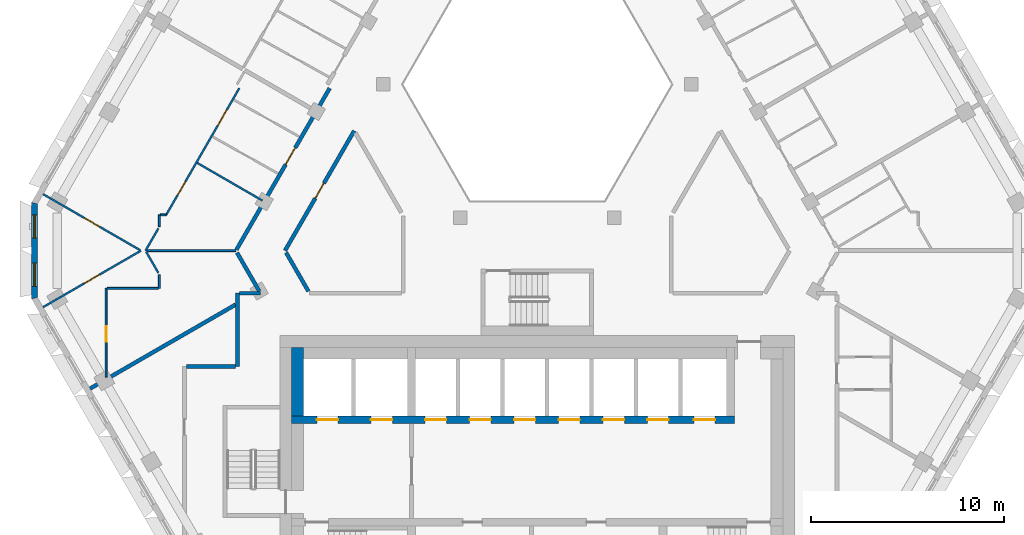
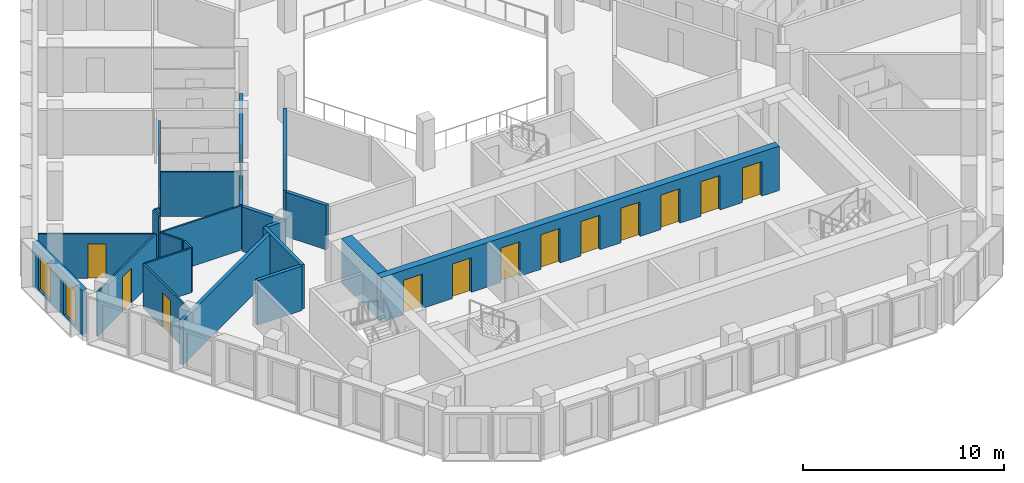
# One storey, part 4 of 18: 23 walls, 16 doors, 2 windows, 18 openings.
"""IFC4 building model written with IfcOpenShell, lengths in metres."""

from ifc_helpers import new_model, si_unit, direction, frame, frame_2d, origin, place, context, subcontext, project, spatial, polyline, rectangle, outline, extrude, material, layer, layer_set, type_object, element, fill, save


model = new_model("IFC4")

# Units and contexts
model_context = context("Model", 3, precision=1e-05, world=origin(), true_north=direction((0.0, 1.0)))
body_context = subcontext(model_context, "Body", "Model", "MODEL_VIEW")
ifc_project = project(units=[si_unit("LENGTHUNIT", "METRE"), si_unit("AREAUNIT", "SQUARE_METRE"), si_unit("VOLUMEUNIT", "CUBIC_METRE"), si_unit("PLANEANGLEUNIT", "RADIAN"), si_unit("MASSUNIT", "GRAM", prefix="KILO")], contexts=[model_context])

# Site, building, storey
site_placement = place(None, origin())
site = spatial("IfcSite", under=ifc_project, at=site_placement, CompositionType="ELEMENT")
building_placement = place(site_placement, origin())
building = spatial("IfcBuilding", under=site, at=building_placement, Name="Beryl Residences", CompositionType="ELEMENT")
storey_placement = place(building_placement, frame((0.0, 0.0, 184.199951171875)))
storey = spatial("IfcBuildingStorey", under=building, at=storey_placement, Name="L56", CompositionType="ELEMENT", Elevation=184.199951171875)

# Wall, openings, windows
ifc_material_1 = material(Name="Composite metal panel with mineral wool insulation")
ifc_layer_1 = layer(ifc_material_1, 0.300048828125)
ifc_layer_set_1 = layer_set([ifc_layer_1], Name="ES1 pale metal composite panel wall 300 mm")
wall_type_1 = type_object("IfcWallType", Name="ES1 pale metal composite panel wall 300 mm", PredefinedType="SOLIDWALL", material=ifc_layer_set_1)
wall_1_placement = place(storey_placement, frame((-26.00390625, 1.89990234375, 0.0), z_axis=(0.0, 0.0, 1.0), x_axis=(0.0, -1.0, 0.0)))
wall_1 = element("IfcWall", 1, at=wall_1_placement, inside=storey, type_object=wall_type_1, Name="ES1 external wall L56 NW-SW", PredefinedType="SOLIDWALL", context=body_context, shape_type="SweptSolid", body=[
    extrude(outline(polyline([(0.0, -0.14990234375), (5.0, -0.14990234375), (4.919677734375, 0.14990234375), (0.080322265625, 0.14990234375), (0.0, -0.14990234375)])), origin(), (0.0, 0.0, 1.0), 2.699951171875),
])
opening_1_placement = place(wall_1_placement, frame((0.64990234375, 0.0, 0.14990234375)))
opening_1 = element("IfcOpeningElement", 2, at=opening_1_placement, cuts=wall_1, Name="Opening W2", PredefinedType="OPENING", context=body_context, shape_type="SweptSolid", body=[
    extrude(rectangle(XDim=1.199951171875, YDim=2.10009765625, at=frame_2d((0.60009765625, 1.050048828125))), frame((0.0, 0.159912109375, 0.0), z_axis=(0.0, -1.0, 0.0), x_axis=(1.0, 0.0, 0.0)), (0.0, 0.0, 1.0), 0.320068359375),
])
opening_2_placement = place(wall_1_placement, frame((3.14990234375, 0.0, 0.14990234375)))
opening_2 = element("IfcOpeningElement", 3, at=opening_2_placement, cuts=wall_1, Name="Opening W2", PredefinedType="OPENING", context=body_context, shape_type="SweptSolid", body=[
    extrude(rectangle(XDim=1.199951171875, YDim=2.10009765625, at=frame_2d((0.60009765625, 1.050048828125))), frame((0.0, 0.159912109375, 0.0), z_axis=(0.0, -1.0, 0.0), x_axis=(1.0, 0.0, 0.0)), (0.0, 0.0, 1.0), 0.320068359375),
])
ifc_material_2 = material(Name="Aluminium and clear glass", Category="aluminium")
window_type = type_object("IfcWindowType", Name="W2 chamfer window 1200 x 2100 mm", PartitioningType="SINGLE_PANEL", PredefinedType="WINDOW", material=ifc_material_2)
window_1_placement = place(opening_1_placement, origin())
window_1 = element("IfcWindow", 4, at=window_1_placement, inside=storey, type_object=window_type, Name="W2 window L56 NW-SW 1", OverallHeight=2.10009765625, OverallWidth=1.199951171875, PartitioningType="SINGLE_PANEL", PredefinedType="WINDOW", context=body_context, shape_type="SweptSolid", body=[
    extrude(rectangle(XDim=1.199951171875, YDim=2.10009765625, at=frame_2d((0.60009765625, 1.050048828125))), frame((0.0, 0.030029296875, 0.0), z_axis=(0.0, -1.0, 0.0), x_axis=(1.0, 0.0, 0.0)), (0.0, 0.0, 1.0), 0.06005859375),
])
fill(opening_1, window_1)
window_2_placement = place(opening_2_placement, origin())
window_2 = element("IfcWindow", 5, at=window_2_placement, inside=storey, type_object=window_type, Name="W2 window L56 NW-SW 2", OverallHeight=2.10009765625, OverallWidth=1.199951171875, PartitioningType="SINGLE_PANEL", PredefinedType="WINDOW", context=body_context, shape_type="SweptSolid", body=[
    extrude(rectangle(XDim=1.199951171875, YDim=2.10009765625, at=frame_2d((0.60009765625, 1.050048828125))), frame((0.0, 0.030029296875, 0.0), z_axis=(0.0, -1.0, 0.0), x_axis=(1.0, 0.0, 0.0)), (0.0, 0.0, 1.0), 0.06005859375),
])
fill(opening_2, window_2)

# Walls
ifc_material_3 = material(Name="Gypsum board partition on steel studs", Category="steel")
ifc_layer_2 = layer(ifc_material_3, 0.10009765625)
ifc_layer_set_2 = layer_set([ifc_layer_2], Name="PT1 partition 100 mm gypsum board on steel studs")
wall_type_2 = type_object("IfcWallType", Name="PT1 partition 100 mm gypsum board on steel studs", PredefinedType="PARTITIONING", material=ifc_layer_set_2)
wall_2_placement = place(storey_placement, frame((-20.23291015625, -0.65087890625, 0.0), z_axis=(0.0, 0.0, 1.0), x_axis=(0.500498449207, -0.865737432679, 0.0)))
element("IfcWall", 6, at=wall_2_placement, inside=storey, type_object=wall_type_2, Name="Wall PT1 L56 001", PredefinedType="PARTITIONING", context=body_context, shape_type="SweptSolid", body=[
    extrude(rectangle(XDim=1.270751953125, YDim=0.10009765625, at=frame_2d((0.63525390625, 0.0))), origin(), (0.0, 0.0, 1.0), 2.699951171875),
])
wall_3_placement = place(storey_placement, frame((-17.5849609375, 3.93603515625, 0.0), z_axis=(0.0, 0.0, 1.0), x_axis=(0.865979019114, -0.500080332001, 0.0)))
element("IfcWall", 7, at=wall_3_placement, inside=storey, type_object=wall_type_2, Name="Wall PT1 L56 013", PredefinedType="PARTITIONING", context=body_context, shape_type="SweptSolid", body=[
    extrude(rectangle(XDim=3.897216796875, YDim=0.10009765625, at=frame_2d((1.94873046875, 0.0))), origin(), (0.0, 0.0, 1.0), 2.699951171875),
])

# Wall, opening, door
wall_4_placement = place(storey_placement, frame((-25.56201171875, 2.324951171875, 0.0), z_axis=(0.0, 0.0, 1.0), x_axis=(0.86599890761, -0.500045889912, 0.0)))
wall_4 = element("IfcWall", 8, at=wall_4_placement, inside=storey, type_object=wall_type_2, Name="Wall PT1 L56 014", PredefinedType="PARTITIONING", context=body_context, shape_type="SweptSolid", body=[
    extrude(rectangle(XDim=5.79345703125, YDim=0.10009765625, at=frame_2d((2.896728515625, 0.0))), origin(), (0.0, 0.0, 1.0), 2.699951171875),
])
opening_3_placement = place(wall_4_placement, frame((2.47607421875, 0.0, 0.0)))
opening_3 = element("IfcOpeningElement", 9, at=opening_3_placement, cuts=wall_4, Name="Opening D1528", PredefinedType="OPENING", context=body_context, shape_type="SweptSolid", body=[
    extrude(rectangle(XDim=0.89990234375, YDim=2.10009765625, at=frame_2d((0.449951171875, 1.050048828125))), frame((0.0, 0.06005859375, 0.0), z_axis=(0.0, -1.0, 0.0), x_axis=(1.0, 0.0, 0.0)), (0.0, 0.0, 1.0), 0.1201171875),
])
ifc_material_4 = material(Name="Timber door leaf", Category="wood")
door_type_1 = type_object("IfcDoorType", Name="D2 room door 900 x 2100 mm", OperationType="SINGLE_SWING_LEFT", PredefinedType="DOOR", material=ifc_material_4)
door_1_placement = place(opening_3_placement, origin())
door_1 = element("IfcDoor", 10, at=door_1_placement, inside=storey, type_object=door_type_1, Name="Door D1528 L56 001", OperationType="SINGLE_SWING_RIGHT", OverallHeight=2.10009765625, OverallWidth=0.89990234375, PredefinedType="DOOR", context=body_context, shape_type="SweptSolid", body=[
    extrude(rectangle(XDim=0.89990234375, YDim=2.10009765625, at=frame_2d((0.449951171875, 1.050048828125))), frame((0.0, 0.02490234375, 0.0), z_axis=(0.0, -1.0, 0.0), x_axis=(1.0, 0.0, 0.0)), (0.0, 0.0, 1.0), 0.050048828125),
])
fill(opening_3, door_1)

# Walls
wall_5_placement = place(storey_placement, frame((-20.2041015625, -0.60107421875, 0.0), z_axis=(0.0, 0.0, 1.0), x_axis=(1.0, 0.0, 0.0)))
element("IfcWall", 11, at=wall_5_placement, inside=storey, type_object=wall_type_2, Name="Wall PT1 L56 017", PredefinedType="PARTITIONING", context=body_context, shape_type="SweptSolid", body=[
    extrude(rectangle(XDim=4.6162109375, YDim=0.10009765625, at=frame_2d((2.30810546875, 0.0))), origin(), (0.0, 0.0, 1.0), 2.699951171875),
])
wall_6_placement = place(storey_placement, frame((-22.2470703125, -2.552978515625, 0.0), z_axis=(0.0, 0.0, 1.0), x_axis=(1.0, 0.0, 0.0)))
element("IfcWall", 12, at=wall_6_placement, inside=storey, type_object=wall_type_2, Name="Wall PT1 L56 020", PredefinedType="PARTITIONING", context=body_context, shape_type="SweptSolid", body=[
    extrude(rectangle(XDim=2.650146484375, YDim=0.10009765625, at=frame_2d((1.3251953125, 0.0))), origin(), (0.0, 0.0, 1.0), 2.699951171875),
])
wall_7_placement = place(storey_placement, frame((-19.4970703125, 1.2470703125, 0.0), z_axis=(0.0, 0.0, 1.0), x_axis=(1.0, 0.0, 0.0)))
element("IfcWall", 13, at=wall_7_placement, inside=storey, type_object=wall_type_2, Name="Wall PT1 L56 021", PredefinedType="PARTITIONING", context=body_context, shape_type="SweptSolid", body=[
    extrude(rectangle(XDim=0.302001953125, YDim=0.10009765625, at=frame_2d((0.15087890625, 0.0))), origin(), (0.0, 0.0, 1.0), 2.699951171875),
])
wall_8_placement = place(storey_placement, frame((-20.261962890625, -0.60107421875, 0.0), z_axis=(0.0, 0.0, 1.0), x_axis=(0.500247001515, 0.86588275042, 0.0)))
element("IfcWall", 14, at=wall_8_placement, inside=storey, type_object=wall_type_2, Name="Wall PT1 L56 027", PredefinedType="PARTITIONING", context=body_context, shape_type="SweptSolid", body=[
    extrude(rectangle(XDim=1.329345703125, YDim=0.10009765625, at=frame_2d((0.66455078125, 0.0))), origin(), (0.0, 0.0, 1.0), 2.699951171875),
])

# Wall, openings, doors
wall_9_placement = place(storey_placement, frame((-19.195068359375, 1.2470703125, 0.0), z_axis=(0.0, 0.0, 1.0), x_axis=(0.499959862915, 0.866048575701, 0.0)))
wall_9 = element("IfcWall", 15, at=wall_9_placement, inside=storey, type_object=wall_type_2, Name="Wall PT1 L56 028", PredefinedType="PARTITIONING", context=body_context, shape_type="SweptSolid", body=[
    extrude(rectangle(XDim=7.56640625, YDim=0.10009765625, at=frame_2d((3.783203125, 0.0))), origin(), (0.0, 0.0, 1.0), 2.699951171875),
])
opening_4_placement = place(wall_9_placement, frame((5.35400390625, 0.0, 0.0)))
opening_4 = element("IfcOpeningElement", 16, at=opening_4_placement, cuts=wall_9, Name="Opening D1527", PredefinedType="OPENING", context=body_context, shape_type="SweptSolid", body=[
    extrude(rectangle(XDim=0.89990234375, YDim=2.10009765625, at=frame_2d((0.449951171875, 1.050048828125))), frame((0.0, 0.06005859375, 0.0), z_axis=(0.0, -1.0, 0.0), x_axis=(1.0, 0.0, 0.0)), (0.0, 0.0, 1.0), 0.1201171875),
])
opening_5_placement = place(wall_9_placement, frame((1.177001953125, 0.0, 0.0)))
opening_5 = element("IfcOpeningElement", 17, at=opening_5_placement, cuts=wall_9, Name="Opening D1529", PredefinedType="OPENING", context=body_context, shape_type="SweptSolid", body=[
    extrude(rectangle(XDim=0.800048828125, YDim=2.10009765625, at=frame_2d((0.39990234375, 1.050048828125))), frame((0.0, 0.06005859375, 0.0), z_axis=(0.0, -1.0, 0.0), x_axis=(1.0, 0.0, 0.0)), (0.0, 0.0, 1.0), 0.1201171875),
])
door_2_placement = place(opening_4_placement, origin())
door_2 = element("IfcDoor", 18, at=door_2_placement, inside=storey, type_object=door_type_1, Name="Door D1527 L56 001", OperationType="SINGLE_SWING_LEFT", OverallHeight=2.10009765625, OverallWidth=0.89990234375, PredefinedType="DOOR", context=body_context, shape_type="SweptSolid", body=[
    extrude(rectangle(XDim=0.89990234375, YDim=2.10009765625, at=frame_2d((0.449951171875, 1.050048828125))), frame((0.0, 0.02490234375, 0.0), z_axis=(0.0, -1.0, 0.0), x_axis=(1.0, 0.0, 0.0)), (0.0, 0.0, 1.0), 0.050048828125),
])
fill(opening_4, door_2)
ifc_material_5 = material(Name="Timber door leaf", Category="wood")
door_type_2 = type_object("IfcDoorType", Name="D3 bathroom door 800 x 2100 mm", OperationType="SINGLE_SWING_LEFT", PredefinedType="DOOR", material=ifc_material_5)
door_3_placement = place(opening_5_placement, origin())
door_3 = element("IfcDoor", 19, at=door_3_placement, inside=storey, type_object=door_type_2, Name="Door D1529 L56 001", OperationType="SINGLE_SWING_LEFT", OverallHeight=2.10009765625, OverallWidth=0.800048828125, PredefinedType="DOOR", context=body_context, shape_type="SweptSolid", body=[
    extrude(rectangle(XDim=0.800048828125, YDim=2.10009765625, at=frame_2d((0.39990234375, 1.050048828125))), frame((0.0, 0.02490234375, 0.0), z_axis=(0.0, -1.0, 0.0), x_axis=(1.0, 0.0, 0.0)), (0.0, 0.0, 1.0), 0.050048828125),
])
fill(opening_5, door_3)

# Walls
wall_10_placement = place(storey_placement, frame((-19.547119140625, -2.552978515625, 0.0), z_axis=(0.0, 0.0, 1.0), x_axis=(0.0, 1.0, 0.0)))
element("IfcWall", 20, at=wall_10_placement, inside=storey, type_object=wall_type_2, Name="Wall PT1 L56 037", PredefinedType="PARTITIONING", context=body_context, shape_type="SweptSolid", body=[
    extrude(rectangle(XDim=0.715087890625, YDim=0.10009765625, at=frame_2d((0.357421875, 0.0))), origin(), (0.0, 0.0, 1.0), 2.699951171875),
])
wall_11_placement = place(storey_placement, frame((-19.547119140625, 0.636962890625, 0.0), z_axis=(0.0, 0.0, 1.0), x_axis=(0.0, 1.0, 0.0)))
element("IfcWall", 21, at=wall_11_placement, inside=storey, type_object=wall_type_2, Name="Wall PT1 L56 038", PredefinedType="PARTITIONING", context=body_context, shape_type="SweptSolid", body=[
    extrude(rectangle(XDim=0.610107421875, YDim=0.10009765625, at=frame_2d((0.30517578125, 0.0))), origin(), (0.0, 0.0, 1.0), 2.699951171875),
])

# Wall, opening, door
wall_12_placement = place(storey_placement, frame((-22.297119140625, -7.14111328125, 0.0), z_axis=(0.0, 0.0, 1.0), x_axis=(0.0, 1.0, 0.0)))
wall_12 = element("IfcWall", 22, at=wall_12_placement, inside=storey, type_object=wall_type_2, Name="Wall PT1 L56 039", PredefinedType="PARTITIONING", context=body_context, shape_type="SweptSolid", body=[
    extrude(rectangle(XDim=4.588134765625, YDim=0.10009765625, at=frame_2d((2.2939453125, 0.0))), origin(), (0.0, 0.0, 1.0), 2.699951171875),
])
opening_6_placement = place(wall_12_placement, frame((1.8359375, 0.0, 0.0)))
opening_6 = element("IfcOpeningElement", 23, at=opening_6_placement, cuts=wall_12, Name="Opening D1531", PredefinedType="OPENING", context=body_context, shape_type="SweptSolid", body=[
    extrude(rectangle(XDim=0.800048828125, YDim=2.10009765625, at=frame_2d((0.39990234375, 1.050048828125))), frame((0.0, 0.06005859375, 0.0), z_axis=(0.0, -1.0, 0.0), x_axis=(1.0, 0.0, 0.0)), (0.0, 0.0, 1.0), 0.1201171875),
])
door_4_placement = place(opening_6_placement, origin())
door_4 = element("IfcDoor", 24, at=door_4_placement, inside=storey, type_object=door_type_2, Name="Door D1531 L56 001", OperationType="SINGLE_SWING_LEFT", OverallHeight=2.10009765625, OverallWidth=0.800048828125, PredefinedType="DOOR", context=body_context, shape_type="SweptSolid", body=[
    extrude(rectangle(XDim=0.800048828125, YDim=2.10009765625, at=frame_2d((0.39990234375, 1.050048828125))), frame((0.0, 0.02490234375, 0.0), z_axis=(0.0, -1.0, 0.0), x_axis=(1.0, 0.0, 0.0)), (0.0, 0.0, 1.0), 0.050048828125),
])
fill(opening_6, door_4)

wall_13_placement = place(storey_placement, frame((-25.56298828125, -3.52392578125, 0.0), z_axis=(0.0, 0.0, 1.0), x_axis=(0.866128586522, 0.499821239653, 0.0)))
wall_13 = element("IfcWall", 25, at=wall_13_placement, inside=storey, type_object=wall_type_2, Name="Wall PT1 L56 045", PredefinedType="PARTITIONING", context=body_context, shape_type="SweptSolid", body=[
    extrude(rectangle(XDim=5.847900390625, YDim=0.10009765625, at=frame_2d((2.923828125, 0.0))), origin(), (0.0, 0.0, 1.0), 2.699951171875),
])
opening_7_placement = place(wall_13_placement, frame((2.47412109375, 0.0, 0.0)))
opening_7 = element("IfcOpeningElement", 26, at=opening_7_placement, cuts=wall_13, Name="Opening D1530", PredefinedType="OPENING", context=body_context, shape_type="SweptSolid", body=[
    extrude(rectangle(XDim=0.89990234375, YDim=2.10009765625, at=frame_2d((0.449951171875, 1.050048828125))), frame((0.0, 0.06005859375, 0.0), z_axis=(0.0, -1.0, 0.0), x_axis=(1.0, 0.0, 0.0)), (0.0, 0.0, 1.0), 0.1201171875),
])
door_5_placement = place(opening_7_placement, origin())
door_5 = element("IfcDoor", 27, at=door_5_placement, inside=storey, type_object=door_type_1, Name="Door D1530 L56 001", OperationType="SINGLE_SWING_RIGHT", OverallHeight=2.10009765625, OverallWidth=0.89990234375, PredefinedType="DOOR", context=body_context, shape_type="SweptSolid", body=[
    extrude(rectangle(XDim=0.89990234375, YDim=2.10009765625, at=frame_2d((0.449951171875, 1.050048828125))), frame((0.0, 0.02490234375, 0.0), z_axis=(0.0, -1.0, 0.0), x_axis=(1.0, 0.0, 0.0)), (0.0, 0.0, 1.0), 0.050048828125),
])
fill(opening_7, door_5)

# Walls
ifc_material_6 = material(Name="Acoustic double stud gypsum board wall")
ifc_layer_3 = layer(ifc_material_6, 0.199951171875)
ifc_layer_set_3 = layer_set([ifc_layer_3], Name="PT3 party wall 200 mm acoustic double stud")
wall_type_3 = type_object("IfcWallType", Name="PT3 party wall 200 mm acoustic double stud", PredefinedType="PARTITIONING", material=ifc_layer_set_3)
wall_14_placement = place(storey_placement, frame((-23.1298828125, -7.737060546875, 0.0), z_axis=(0.0, 0.0, 1.0), x_axis=(0.866033148899, 0.499986584829, 0.0)))
element("IfcWall", 28, at=wall_14_placement, inside=storey, type_object=wall_type_3, Name="Wall PT3 L56 013", PredefinedType="PARTITIONING", context=body_context, shape_type="SweptSolid", body=[
    extrude(rectangle(XDim=8.694580078125, YDim=0.199951171875, at=frame_2d((4.34716796875, 0.0))), origin(), (0.0, 0.0, 1.0), 2.699951171875),
])
ifc_material_7 = material(Name="Double stud gypsum board wall")
ifc_layer_4 = layer(ifc_material_7, 0.199951171875)
ifc_layer_set_4 = layer_set([ifc_layer_4], Name="PT4 corridor wall 200 mm double stud")
wall_type_4 = type_object("IfcWallType", Name="PT4 corridor wall 200 mm double stud", PredefinedType="PARTITIONING", material=ifc_layer_set_4)
for number, where, z_axis, x_axis, name in (
    (29, (-12.989990234375, -0.700927734375, 0.0), (0.0, 0.0, 1.0), (0.499972710878, -0.866041158593, 0.0), "Wall PT4 L56 002"),
    (30, (-15.530029296875, -0.700927734375, 0.0), (0.0, 0.0, 1.0), (0.499972710878, -0.866041158593, 0.0), "Wall PT4 L56 003"),
):
    element("IfcWall", number, at=place(storey_placement, frame(where, z_axis=z_axis, x_axis=x_axis)), inside=storey, type_object=wall_type_4, Name=name, PredefinedType="PARTITIONING", context=body_context, shape_type="SweptSolid", body=[
        extrude(rectangle(XDim=2.308349609375, YDim=0.199951171875, at=frame_2d((1.154296875, 0.0))), origin(), (0.0, 0.0, 1.0), 2.699951171875),
    ])
wall_15_placement = place(storey_placement, frame((-18.14892578125, -6.60009765625, 0.0), z_axis=(0.0, 0.0, 1.0), x_axis=(1.0, 0.0, 0.0)))
element("IfcWall", 31, at=wall_15_placement, inside=storey, type_object=wall_type_4, Name="Wall PT4 L56 008", PredefinedType="PARTITIONING", context=body_context, shape_type="SweptSolid", body=[
    extrude(rectangle(XDim=2.548828125, YDim=0.199951171875, at=frame_2d((1.2744140625, 0.0))), origin(), (0.0, 0.0, 1.0), 2.699951171875),
])
wall_16_placement = place(storey_placement, frame((-15.39892578125, -2.800048828125, 0.0), z_axis=(0.0, 0.0, 1.0), x_axis=(1.0, 0.0, 0.0)))
element("IfcWall", 32, at=wall_16_placement, inside=storey, type_object=wall_type_4, Name="Wall PT4 L56 010", PredefinedType="PARTITIONING", context=body_context, shape_type="SweptSolid", body=[
    extrude(rectangle(XDim=1.080810546875, YDim=0.199951171875, at=frame_2d((0.54052734375, 0.0))), origin(), (0.0, 0.0, 1.0), 2.699951171875),
])

# Wall, opening, door
wall_17_placement = place(storey_placement, frame((-13.048095703125, -0.60107421875, 0.0), z_axis=(0.0, 0.0, 1.0), x_axis=(0.499982180423, 0.866035691677, 0.0)))
wall_17 = element("IfcWall", 33, at=wall_17_placement, inside=storey, type_object=wall_type_4, Name="Wall PT4 L56 018", PredefinedType="PARTITIONING", context=body_context, shape_type="SweptSolid", body=[
    extrude(rectangle(XDim=7.160400390625, YDim=0.199951171875, at=frame_2d((3.580078125, 0.0))), origin(), (0.0, 0.0, 1.0), 2.699951171875),
])
opening_8_placement = place(wall_17_placement, frame((3.1298828125, 0.0, 0.0)))
opening_8 = element("IfcOpeningElement", 34, at=opening_8_placement, cuts=wall_17, Name="Opening D1546", PredefinedType="OPENING", context=body_context, shape_type="SweptSolid", body=[
    extrude(rectangle(XDim=0.89990234375, YDim=2.10009765625, at=frame_2d((0.449951171875, 1.050048828125))), frame((0.0, 0.10986328125, 0.0), z_axis=(0.0, -1.0, 0.0), x_axis=(1.0, 0.0, 0.0)), (0.0, 0.0, 1.0), 0.219970703125),
])
door_6_placement = place(opening_8_placement, origin())
door_6 = element("IfcDoor", 35, at=door_6_placement, inside=storey, type_object=door_type_1, Name="Door D1546 L56 001", OperationType="SINGLE_SWING_RIGHT", OverallHeight=2.10009765625, OverallWidth=0.89990234375, PredefinedType="DOOR", context=body_context, shape_type="SweptSolid", body=[
    extrude(rectangle(XDim=0.89990234375, YDim=2.10009765625, at=frame_2d((0.449951171875, 1.050048828125))), frame((0.0, 0.02490234375, 0.0), z_axis=(0.0, -1.0, 0.0), x_axis=(1.0, 0.0, 0.0)), (0.0, 0.0, 1.0), 0.050048828125),
])
fill(opening_8, door_6)

wall_18_placement = place(storey_placement, frame((-15.55908203125, -0.551025390625, 0.0), z_axis=(0.0, 0.0, 1.0), x_axis=(0.499964997208, 0.866045611713, 0.0)))
wall_18 = element("IfcWall", 36, at=wall_18_placement, inside=storey, type_object=wall_type_4, Name="Wall PT4 L56 019", PredefinedType="PARTITIONING", context=body_context, shape_type="SweptSolid", body=[
    extrude(rectangle(XDim=9.642822265625, YDim=0.199951171875, at=frame_2d((4.8212890625, 0.0))), origin(), (0.0, 0.0, 1.0), 2.699951171875),
])
opening_9_placement = place(wall_18_placement, frame((5.087890625, 0.0, 0.0)))
opening_9 = element("IfcOpeningElement", 37, at=opening_9_placement, cuts=wall_18, Name="Opening D1524", PredefinedType="OPENING", context=body_context, shape_type="SweptSolid", body=[
    extrude(rectangle(XDim=1.0, YDim=2.10009765625, at=frame_2d((0.5, 1.050048828125))), frame((0.0, 0.10986328125, 0.0), z_axis=(0.0, -1.0, 0.0), x_axis=(1.0, 0.0, 0.0)), (0.0, 0.0, 1.0), 0.219970703125),
])
ifc_material_8 = material(Name="Timber door leaf", Category="wood")
door_type_3 = type_object("IfcDoorType", Name="D1 flat entrance door 1000 x 2100 mm", OperationType="SINGLE_SWING_LEFT", PredefinedType="DOOR", material=ifc_material_8)
door_7_placement = place(opening_9_placement, origin())
door_7 = element("IfcDoor", 38, at=door_7_placement, inside=storey, type_object=door_type_3, Name="Door D1524 L56 001", OperationType="SINGLE_SWING_RIGHT", OverallHeight=2.10009765625, OverallWidth=1.0, PredefinedType="DOOR", context=body_context, shape_type="SweptSolid", body=[
    extrude(rectangle(XDim=1.0, YDim=2.10009765625, at=frame_2d((0.5, 1.050048828125))), frame((0.0, 0.02490234375, 0.0), z_axis=(0.0, -1.0, 0.0), x_axis=(1.0, 0.0, 0.0)), (0.0, 0.0, 1.0), 0.050048828125),
])
fill(opening_9, door_7)

# Walls
wall_19_placement = place(storey_placement, frame((-15.5, -6.60009765625, 0.0), z_axis=(0.0, 0.0, 1.0), x_axis=(0.0, 1.0, 0.0)))
element("IfcWall", 39, at=wall_19_placement, inside=storey, type_object=wall_type_4, Name="Wall PT4 L56 024", PredefinedType="PARTITIONING", context=body_context, shape_type="SweptSolid", body=[
    extrude(rectangle(XDim=3.799072265625, YDim=0.199951171875, at=frame_2d((1.8994140625, 0.0))), origin(), (0.0, 0.0, 1.0), 2.699951171875),
])
ifc_material_9 = material(Name="Concrete C40/50", Category="concrete")
ifc_layer_5 = layer(ifc_material_9, 0.60009765625)
ifc_layer_set_5 = layer_set([ifc_layer_5], Name="PT6-600 lift shaft wall 600 mm")
wall_type_5 = type_object("IfcWallType", Name="PT6-600 lift shaft wall 600 mm", PredefinedType="SOLIDWALL", material=ifc_layer_set_5)
wall_20_placement = place(storey_placement, frame((-12.39990234375, -9.14990234375, 0.0), z_axis=(0.0, 0.0, 1.0), x_axis=(0.0, 1.0, 0.0)))
element("IfcWall", 40, at=wall_20_placement, inside=storey, type_object=wall_type_5, Name="Lift shaft wall 07", PredefinedType="SOLIDWALL", context=body_context, shape_type="SweptSolid", body=[
    extrude(rectangle(XDim=3.5498046875, YDim=0.60009765625, at=frame_2d((1.77490234375, 0.0))), origin(), (0.0, 0.0, 1.0), 2.699951171875),
])

# Wall, openings, doors
ifc_material_10 = material(Name="Concrete C50/60", Category="concrete")
ifc_layer_6 = layer(ifc_material_10, 0.39990234375)
ifc_layer_set_6 = layer_set([ifc_layer_6], Name="SW9 core internal wall 400 mm C50/60")
wall_type_6 = type_object("IfcWallType", Name="SW9 core internal wall 400 mm C50/60", PredefinedType="SHEAR", material=ifc_layer_set_6)
wall_21_placement = place(storey_placement, frame((-12.699951171875, -9.35009765625, 0.0), z_axis=(0.0, 0.0, 1.0), x_axis=(1.0, 0.0, 0.0)))
wall_21 = element("IfcWall", 41, at=wall_21_placement, inside=storey, type_object=wall_type_6, Name="Core wall SP2 L56", PredefinedType="SHEAR", context=body_context, shape_type="SweptSolid", body=[
    extrude(rectangle(XDim=22.89990234375, YDim=0.39990234375, at=frame_2d((11.449951171875, 0.0))), origin(), (0.0, 0.0, 1.0), 2.699951171875),
])
opening_10_placement = place(wall_21_placement, frame((1.300048828125, 0.0, 0.0)))
opening_10 = element("IfcOpeningElement", 42, at=opening_10_placement, cuts=wall_21, Name="Opening LD-FF1", PredefinedType="OPENING", context=body_context, shape_type="SweptSolid", body=[
    extrude(rectangle(XDim=1.10009765625, YDim=2.10009765625, at=frame_2d((0.550048828125, 1.050048828125))), frame((0.0, 0.2099609375, 0.0), z_axis=(0.0, -1.0, 0.0), x_axis=(1.0, 0.0, 0.0)), (0.0, 0.0, 1.0), 0.419921875),
])
opening_11_placement = place(wall_21_placement, frame((4.10009765625, 0.0, 0.0)))
opening_11 = element("IfcOpeningElement", 43, at=opening_11_placement, cuts=wall_21, Name="Opening LD-FF2", PredefinedType="OPENING", context=body_context, shape_type="SweptSolid", body=[
    extrude(rectangle(XDim=1.10009765625, YDim=2.10009765625, at=frame_2d((0.550048828125, 1.050048828125))), frame((0.0, 0.2099609375, 0.0), z_axis=(0.0, -1.0, 0.0), x_axis=(1.0, 0.0, 0.0)), (0.0, 0.0, 1.0), 0.419921875),
])
opening_12_placement = place(wall_21_placement, frame((6.89990234375, 0.0, 0.0)))
opening_12 = element("IfcOpeningElement", 44, at=opening_12_placement, cuts=wall_21, Name="Opening LD-HR1", PredefinedType="OPENING", context=body_context, shape_type="SweptSolid", body=[
    extrude(rectangle(XDim=1.10009765625, YDim=2.10009765625, at=frame_2d((0.550048828125, 1.050048828125))), frame((0.0, 0.2099609375, 0.0), z_axis=(0.0, -1.0, 0.0), x_axis=(1.0, 0.0, 0.0)), (0.0, 0.0, 1.0), 0.419921875),
])
opening_13_placement = place(wall_21_placement, frame((9.199951171875, 0.0, 0.0)))
opening_13 = element("IfcOpeningElement", 45, at=opening_13_placement, cuts=wall_21, Name="Opening LD-HR2", PredefinedType="OPENING", context=body_context, shape_type="SweptSolid", body=[
    extrude(rectangle(XDim=1.10009765625, YDim=2.10009765625, at=frame_2d((0.550048828125, 1.050048828125))), frame((0.0, 0.2099609375, 0.0), z_axis=(0.0, -1.0, 0.0), x_axis=(1.0, 0.0, 0.0)), (0.0, 0.0, 1.0), 0.419921875),
])
opening_14_placement = place(wall_21_placement, frame((11.5, 0.0, 0.0)))
opening_14 = element("IfcOpeningElement", 46, at=opening_14_placement, cuts=wall_21, Name="Opening LD-HR3", PredefinedType="OPENING", context=body_context, shape_type="SweptSolid", body=[
    extrude(rectangle(XDim=1.10009765625, YDim=2.10009765625, at=frame_2d((0.550048828125, 1.050048828125))), frame((0.0, 0.2099609375, 0.0), z_axis=(0.0, -1.0, 0.0), x_axis=(1.0, 0.0, 0.0)), (0.0, 0.0, 1.0), 0.419921875),
])
opening_15_placement = place(wall_21_placement, frame((13.800048828125, 0.0, 0.0)))
opening_15 = element("IfcOpeningElement", 47, at=opening_15_placement, cuts=wall_21, Name="Opening LD-HR4", PredefinedType="OPENING", context=body_context, shape_type="SweptSolid", body=[
    extrude(rectangle(XDim=1.10009765625, YDim=2.10009765625, at=frame_2d((0.550048828125, 1.050048828125))), frame((0.0, 0.2099609375, 0.0), z_axis=(0.0, -1.0, 0.0), x_axis=(1.0, 0.0, 0.0)), (0.0, 0.0, 1.0), 0.419921875),
])
opening_16_placement = place(wall_21_placement, frame((16.10009765625, 0.0, 0.0)))
opening_16 = element("IfcOpeningElement", 48, at=opening_16_placement, cuts=wall_21, Name="Opening LD-HR5", PredefinedType="OPENING", context=body_context, shape_type="SweptSolid", body=[
    extrude(rectangle(XDim=1.10009765625, YDim=2.10009765625, at=frame_2d((0.550048828125, 1.050048828125))), frame((0.0, 0.2099609375, 0.0), z_axis=(0.0, -1.0, 0.0), x_axis=(1.0, 0.0, 0.0)), (0.0, 0.0, 1.0), 0.419921875),
])
opening_17_placement = place(wall_21_placement, frame((18.39990234375, 0.0, 0.0)))
opening_17 = element("IfcOpeningElement", 49, at=opening_17_placement, cuts=wall_21, Name="Opening LD-HR6", PredefinedType="OPENING", context=body_context, shape_type="SweptSolid", body=[
    extrude(rectangle(XDim=1.10009765625, YDim=2.10009765625, at=frame_2d((0.550048828125, 1.050048828125))), frame((0.0, 0.2099609375, 0.0), z_axis=(0.0, -1.0, 0.0), x_axis=(1.0, 0.0, 0.0)), (0.0, 0.0, 1.0), 0.419921875),
])
opening_18_placement = place(wall_21_placement, frame((20.800048828125, 0.0, 0.0)))
opening_18 = element("IfcOpeningElement", 50, at=opening_18_placement, cuts=wall_21, Name="Opening LD-SL1", PredefinedType="OPENING", context=body_context, shape_type="SweptSolid", body=[
    extrude(rectangle(XDim=1.10009765625, YDim=2.10009765625, at=frame_2d((0.550048828125, 1.050048828125))), frame((0.0, 0.2099609375, 0.0), z_axis=(0.0, -1.0, 0.0), x_axis=(1.0, 0.0, 0.0)), (0.0, 0.0, 1.0), 0.419921875),
])
ifc_material_11 = material(Name="Stainless steel sliding door", Category="steel")
door_type_4 = type_object("IfcDoorType", Name="LD1 lift landing door 1100 x 2100 mm", OperationType="DOUBLE_DOOR_SLIDING", PredefinedType="DOOR", material=ifc_material_11)
door_8_placement = place(opening_10_placement, origin())
door_8 = element("IfcDoor", 51, at=door_8_placement, inside=storey, type_object=door_type_4, Name="Lift landing door FF1", OperationType="DOUBLE_DOOR_SLIDING", OverallHeight=2.10009765625, OverallWidth=1.10009765625, PredefinedType="DOOR", context=body_context, shape_type="SweptSolid", body=[
    extrude(rectangle(XDim=1.10009765625, YDim=2.10009765625, at=frame_2d((0.550048828125, 1.050048828125))), frame((0.0, 0.02490234375, 0.0), z_axis=(0.0, -1.0, 0.0), x_axis=(1.0, 0.0, 0.0)), (0.0, 0.0, 1.0), 0.050048828125),
])
fill(opening_10, door_8)
door_9_placement = place(opening_11_placement, origin())
door_9 = element("IfcDoor", 52, at=door_9_placement, inside=storey, type_object=door_type_4, Name="Lift landing door FF2", OperationType="DOUBLE_DOOR_SLIDING", OverallHeight=2.10009765625, OverallWidth=1.10009765625, PredefinedType="DOOR", context=body_context, shape_type="SweptSolid", body=[
    extrude(rectangle(XDim=1.10009765625, YDim=2.10009765625, at=frame_2d((0.550048828125, 1.050048828125))), frame((0.0, 0.02490234375, 0.0), z_axis=(0.0, -1.0, 0.0), x_axis=(1.0, 0.0, 0.0)), (0.0, 0.0, 1.0), 0.050048828125),
])
fill(opening_11, door_9)
door_10_placement = place(opening_12_placement, origin())
door_10 = element("IfcDoor", 53, at=door_10_placement, inside=storey, type_object=door_type_4, Name="Lift landing door HR1", OperationType="DOUBLE_DOOR_SLIDING", OverallHeight=2.10009765625, OverallWidth=1.10009765625, PredefinedType="DOOR", context=body_context, shape_type="SweptSolid", body=[
    extrude(rectangle(XDim=1.10009765625, YDim=2.10009765625, at=frame_2d((0.550048828125, 1.050048828125))), frame((0.0, 0.02490234375, 0.0), z_axis=(0.0, -1.0, 0.0), x_axis=(1.0, 0.0, 0.0)), (0.0, 0.0, 1.0), 0.050048828125),
])
fill(opening_12, door_10)
door_11_placement = place(opening_13_placement, origin())
door_11 = element("IfcDoor", 54, at=door_11_placement, inside=storey, type_object=door_type_4, Name="Lift landing door HR2", OperationType="DOUBLE_DOOR_SLIDING", OverallHeight=2.10009765625, OverallWidth=1.10009765625, PredefinedType="DOOR", context=body_context, shape_type="SweptSolid", body=[
    extrude(rectangle(XDim=1.10009765625, YDim=2.10009765625, at=frame_2d((0.550048828125, 1.050048828125))), frame((0.0, 0.02490234375, 0.0), z_axis=(0.0, -1.0, 0.0), x_axis=(1.0, 0.0, 0.0)), (0.0, 0.0, 1.0), 0.050048828125),
])
fill(opening_13, door_11)
door_12_placement = place(opening_14_placement, origin())
door_12 = element("IfcDoor", 55, at=door_12_placement, inside=storey, type_object=door_type_4, Name="Lift landing door HR3", OperationType="DOUBLE_DOOR_SLIDING", OverallHeight=2.10009765625, OverallWidth=1.10009765625, PredefinedType="DOOR", context=body_context, shape_type="SweptSolid", body=[
    extrude(rectangle(XDim=1.10009765625, YDim=2.10009765625, at=frame_2d((0.550048828125, 1.050048828125))), frame((0.0, 0.02490234375, 0.0), z_axis=(0.0, -1.0, 0.0), x_axis=(1.0, 0.0, 0.0)), (0.0, 0.0, 1.0), 0.050048828125),
])
fill(opening_14, door_12)
door_13_placement = place(opening_15_placement, origin())
door_13 = element("IfcDoor", 56, at=door_13_placement, inside=storey, type_object=door_type_4, Name="Lift landing door HR4", OperationType="DOUBLE_DOOR_SLIDING", OverallHeight=2.10009765625, OverallWidth=1.10009765625, PredefinedType="DOOR", context=body_context, shape_type="SweptSolid", body=[
    extrude(rectangle(XDim=1.10009765625, YDim=2.10009765625, at=frame_2d((0.550048828125, 1.050048828125))), frame((0.0, 0.02490234375, 0.0), z_axis=(0.0, -1.0, 0.0), x_axis=(1.0, 0.0, 0.0)), (0.0, 0.0, 1.0), 0.050048828125),
])
fill(opening_15, door_13)
door_14_placement = place(opening_16_placement, origin())
door_14 = element("IfcDoor", 57, at=door_14_placement, inside=storey, type_object=door_type_4, Name="Lift landing door HR5", OperationType="DOUBLE_DOOR_SLIDING", OverallHeight=2.10009765625, OverallWidth=1.10009765625, PredefinedType="DOOR", context=body_context, shape_type="SweptSolid", body=[
    extrude(rectangle(XDim=1.10009765625, YDim=2.10009765625, at=frame_2d((0.550048828125, 1.050048828125))), frame((0.0, 0.02490234375, 0.0), z_axis=(0.0, -1.0, 0.0), x_axis=(1.0, 0.0, 0.0)), (0.0, 0.0, 1.0), 0.050048828125),
])
fill(opening_16, door_14)
door_15_placement = place(opening_17_placement, origin())
door_15 = element("IfcDoor", 58, at=door_15_placement, inside=storey, type_object=door_type_4, Name="Lift landing door HR6", OperationType="DOUBLE_DOOR_SLIDING", OverallHeight=2.10009765625, OverallWidth=1.10009765625, PredefinedType="DOOR", context=body_context, shape_type="SweptSolid", body=[
    extrude(rectangle(XDim=1.10009765625, YDim=2.10009765625, at=frame_2d((0.550048828125, 1.050048828125))), frame((0.0, 0.02490234375, 0.0), z_axis=(0.0, -1.0, 0.0), x_axis=(1.0, 0.0, 0.0)), (0.0, 0.0, 1.0), 0.050048828125),
])
fill(opening_17, door_15)
door_16_placement = place(opening_18_placement, origin())
door_16 = element("IfcDoor", 59, at=door_16_placement, inside=storey, type_object=door_type_4, Name="Lift landing door SL1", OperationType="DOUBLE_DOOR_SLIDING", OverallHeight=2.10009765625, OverallWidth=1.10009765625, PredefinedType="DOOR", context=body_context, shape_type="SweptSolid", body=[
    extrude(rectangle(XDim=1.10009765625, YDim=2.10009765625, at=frame_2d((0.550048828125, 1.050048828125))), frame((0.0, 0.02490234375, 0.0), z_axis=(0.0, -1.0, 0.0), x_axis=(1.0, 0.0, 0.0)), (0.0, 0.0, 1.0), 0.050048828125),
])
fill(opening_18, door_16)

save(model, "model.ifc")
